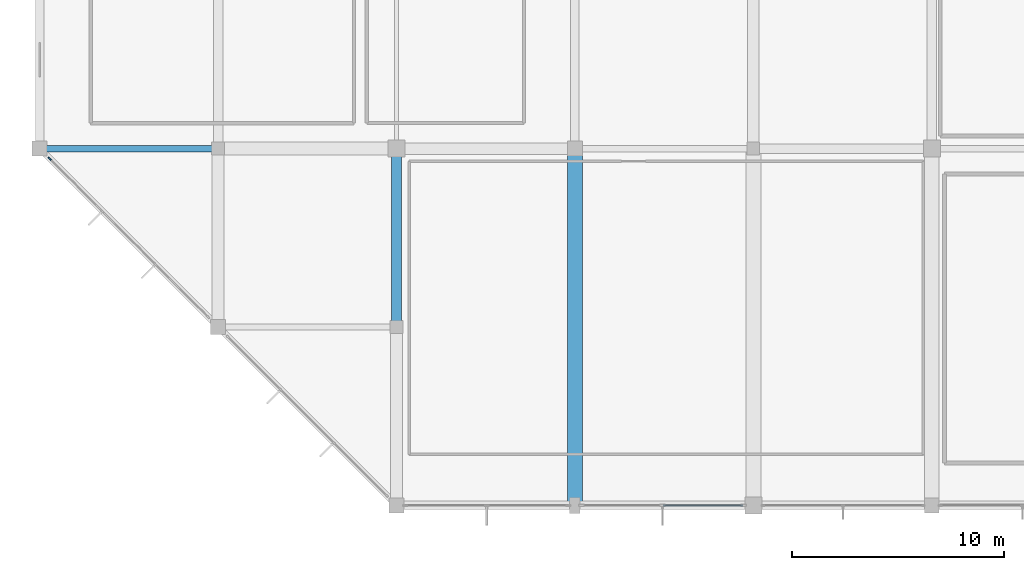
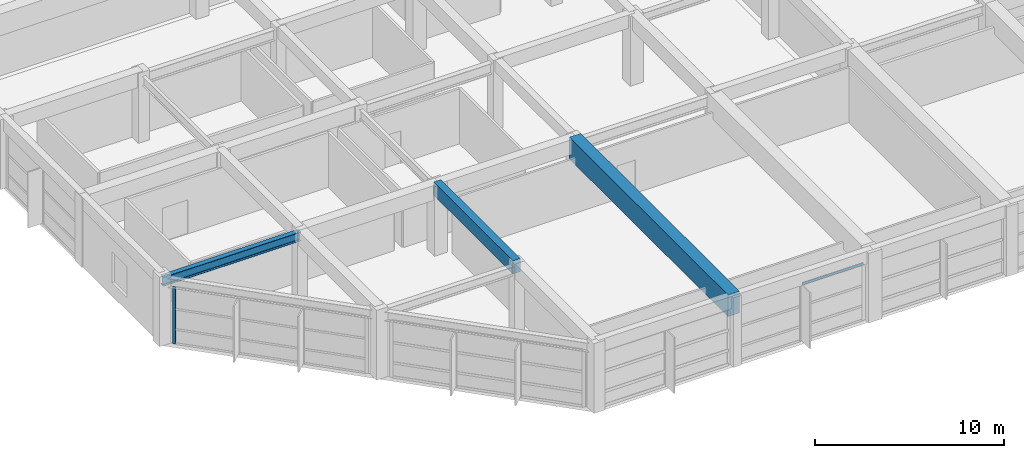
# One storey, part 9 of 65: 3 beams, 2 members, 2 elements without a shape of their own.
"""IFC4 building model written with IfcOpenShell, lengths in metres."""

from ifc_helpers import new_model, si_unit, direction, frame, origin, origin_2d, place, context, subcontext, project, spatial, rectangle, i_section, extrude, material, material_profile, profile_set, type_object, element, aggregate, save


model = new_model("IFC4")

# Units and contexts
model_context = context("Model", 3, precision=1e-05, world=origin(), true_north=direction((0.0, 1.0)))
body_context = subcontext(model_context, "Body", "Model", "MODEL_VIEW")
ifc_project = project(units=[si_unit("LENGTHUNIT", "METRE"), si_unit("AREAUNIT", "SQUARE_METRE"), si_unit("VOLUMEUNIT", "CUBIC_METRE"), si_unit("PLANEANGLEUNIT", "RADIAN"), si_unit("MASSUNIT", "GRAM", prefix="KILO")], contexts=[model_context])

# Site, building, storey
site_placement = place(None, origin())
site = spatial("IfcSite", under=ifc_project, at=site_placement, CompositionType="ELEMENT")
building_placement = place(site_placement, origin())
building = spatial("IfcBuilding", under=site, at=building_placement, Name="Xuanlan Plaza Opera House", CompositionType="ELEMENT")
storey_placement = place(building_placement, frame((0.0, 0.0, 5.39990234375)))
storey = spatial("IfcBuildingStorey", under=building, at=storey_placement, Name="L01", CompositionType="ELEMENT", Elevation=5.39990234375)

# Curtain wall, member
ifc_material_1 = material(Name="Anodised Aluminium 6063-T6 and Low-E Glass", Category="aluminium")
curtain_wall_type_1 = type_object("IfcCurtainWallType", Name="ENV-CW-CW-02", PredefinedType="USERDEFINED", material=ifc_material_1)
curtain_wall_1_placement = place(storey_placement, origin())
curtain_wall_1 = element("IfcCurtainWall", 1, at=curtain_wall_1_placement, inside=storey, type_object=curtain_wall_type_1, Name="Unitised Curtain Wall L01-059", ObjectType="UNITISED CURTAIN WALL", PredefinedType="USERDEFINED")
ifc_material_2 = material(Name="Anodised Aluminium 6063-T6", Category="aluminium")
ifc_material_profile_1 = material_profile(ifc_material_2, rectangle(XDim=0.070068359375, YDim=0.179931640625, at=origin_2d()), Name="ALU-M 70x180")
ifc_profile_set_1 = profile_set([ifc_material_profile_1], Name="Anodised Aluminium 6063-T6")
member_type_1 = type_object("IfcMemberType", Name="ENV-CWM-02", PredefinedType="MULLION", material=ifc_profile_set_1)
member_1_placement = place(storey_placement, frame((0.4736328125, 16.326171875, 0.0), z_axis=(0.0, 0.0, 1.0), x_axis=(0.707106781187, 0.707106781187, 0.0)))
member_1 = element("IfcMember", 2, at=member_1_placement, type_object=member_type_1, Name="CW-02 mullion 1", PredefinedType="MULLION", context=body_context, shape_type="SweptSolid", body=[
    extrude(rectangle(XDim=0.070068359375, YDim=0.179931640625, at=origin_2d()), origin(), (0.0, 0.0, 1.0), 3.68017578125),
])
aggregate(curtain_wall_1, [member_1])

curtain_wall_type_2 = type_object("IfcCurtainWallType", Name="ENV-CW-CW-01", PredefinedType="USERDEFINED", material=ifc_material_1)
curtain_wall_2_placement = place(storey_placement, origin())
curtain_wall_2 = element("IfcCurtainWall", 3, at=curtain_wall_2_placement, inside=storey, type_object=curtain_wall_type_2, Name="Unitised Curtain Wall L01-002", ObjectType="UNITISED CURTAIN WALL", PredefinedType="USERDEFINED")
ifc_material_profile_2 = material_profile(ifc_material_2, rectangle(XDim=0.070068359375, YDim=0.135009765625, at=origin_2d()), Name="ALU-T 70x135")
ifc_profile_set_2 = profile_set([ifc_material_profile_2], Name="Anodised Aluminium 6063-T6")
member_type_2 = type_object("IfcMemberType", Name="ENV-CWT-02", PredefinedType="USERDEFINED", material=ifc_profile_set_2)
member_2_placement = place(storey_placement, frame((29.3701171875, 0.0, 3.64501953125), z_axis=(1.0, 0.0, 0.0), x_axis=(0.0, 1.0, 0.0)))
member_2 = element("IfcMember", 4, at=member_2_placement, type_object=member_type_2, Name="CW-01 transom 2.4", ObjectType="TRANSOM", PredefinedType="USERDEFINED", context=body_context, shape_type="SweptSolid", body=[
    extrude(rectangle(XDim=0.070068359375, YDim=0.135009765625, at=origin_2d()), origin(), (0.0, 0.0, 1.0), 3.719970703125),
])
aggregate(curtain_wall_2, [member_2])

# Beams
ifc_material_3 = material(Name="Concrete C40", Category="concrete")
ifc_material_profile_3 = material_profile(ifc_material_3, rectangle(XDim=0.449951171875, YDim=0.85009765625, at=origin_2d()), Name="RC-BM 450x850")
ifc_profile_set_3 = profile_set([ifc_material_profile_3], Name="Concrete C40")
beam_type_1 = type_object("IfcBeamType", Name="STR-BM-B-04", PredefinedType="BEAM", material=ifc_profile_set_3)
beam_1_placement = place(storey_placement, frame((16.800048828125, 8.39990234375, 4.0751953125), z_axis=(0.0, 1.0, 0.0), x_axis=(-1.0, 0.0, 0.0)))
element("IfcBeam", 5, at=beam_1_placement, inside=storey, type_object=beam_type_1, Name="Grid Beam Y L01 3/B-C", PredefinedType="BEAM", context=body_context, shape_type="SweptSolid", body=[
    extrude(rectangle(XDim=0.449951171875, YDim=0.85009765625, at=origin_2d()), origin(), (0.0, 0.0, 1.0), 8.400146484375),
])
ifc_material_4 = material(Name="Concrete C50", Category="concrete")
ifc_material_profile_4 = material_profile(ifc_material_4, rectangle(XDim=0.699951171875, YDim=1.39990234375, at=origin_2d()), Name="RC-LG 700x1400")
ifc_profile_set_4 = profile_set([ifc_material_profile_4], Name="Concrete C50")
beam_type_2 = type_object("IfcBeamType", Name="STR-BM-LG-01", PredefinedType="BEAM", material=ifc_profile_set_4)
beam_2_placement = place(storey_placement, frame((25.199951171875, 0.0, 3.800048828125), z_axis=(0.0, 1.0, 0.0), x_axis=(-1.0, 0.0, 0.0)))
element("IfcBeam", 6, at=beam_2_placement, inside=storey, type_object=beam_type_2, Name="Grid Beam Y L01 4/A-C", PredefinedType="BEAM", context=body_context, shape_type="SweptSolid", body=[
    extrude(rectangle(XDim=0.699951171875, YDim=1.39990234375, at=origin_2d()), origin(), (0.0, 0.0, 1.0), 16.800048828125),
])
ifc_material_5 = material(Name="Steel Q355B", Category="steel")
ifc_material_profile_5 = material_profile(ifc_material_5, i_section(OverallWidth=0.300048828125, OverallDepth=0.587890625, WebThickness=0.011962890625, FlangeThickness=0.02001953125, FilletRadius=0.02392578125, at=origin_2d()), Name="HM 588x300x12x20")
ifc_profile_set_5 = profile_set([ifc_material_profile_5], Name="Steel Q355B")
beam_type_3 = type_object("IfcBeamType", Name="STR-BM-SB-06", PredefinedType="BEAM", material=ifc_profile_set_5)
beam_3_placement = place(storey_placement, frame((0.0, 16.800048828125, 3.941162109375), z_axis=(1.0, 0.0, 0.0), x_axis=(0.0, 1.0, 0.0)))
element("IfcBeam", 7, at=beam_3_placement, inside=storey, type_object=beam_type_3, Name="Grid Beam X L01 1-2/C", PredefinedType="BEAM", context=body_context, shape_type="SweptSolid", body=[
    extrude(i_section(OverallWidth=0.300048828125, OverallDepth=0.587890625, WebThickness=0.011962890625, FlangeThickness=0.02001953125, FilletRadius=0.02392578125, at=origin_2d()), origin(), (0.0, 0.0, 1.0), 8.39990234375),
])

save(model, "model.ifc")
